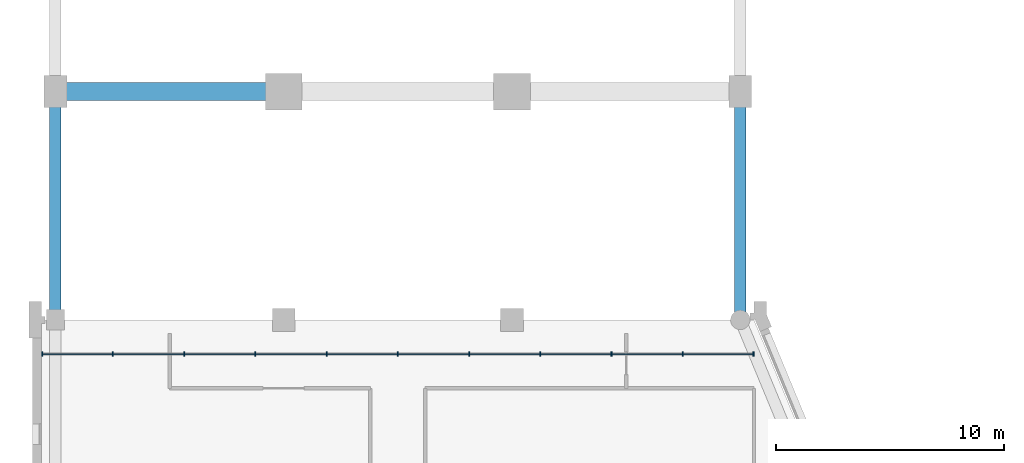
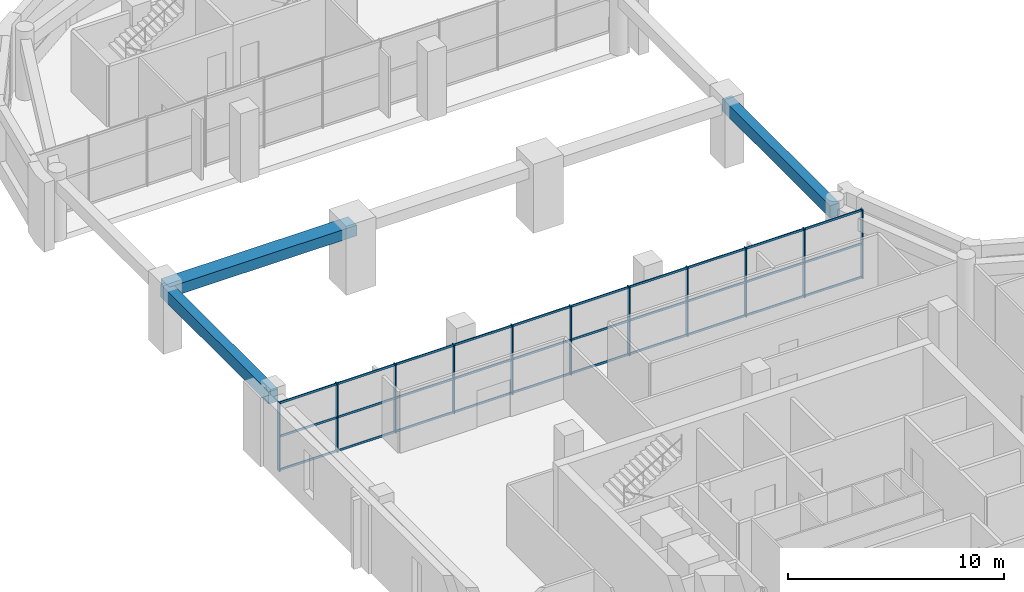
# One storey, part 2 of 11: 41 members, 3 beams, 1 element without a shape of its own.
"""IFC4 building model written with IfcOpenShell, lengths in metres."""

from ifc_helpers import new_model, si_unit, direction, frame, origin, origin_2d, place, context, subcontext, project, spatial, rectangle, extrude, material, layer, layer_set, material_profile, profile_set, type_object, element, aggregate, save


model = new_model("IFC4")

# Units and contexts
model_context = context("Model", 3, precision=1e-05, world=origin(), true_north=direction((0.0, 1.0)))
body_context = subcontext(model_context, "Body", "Model", "MODEL_VIEW")
ifc_project = project(units=[si_unit("LENGTHUNIT", "METRE"), si_unit("AREAUNIT", "SQUARE_METRE"), si_unit("VOLUMEUNIT", "CUBIC_METRE"), si_unit("PLANEANGLEUNIT", "RADIAN"), si_unit("MASSUNIT", "GRAM", prefix="KILO")], contexts=[model_context])

# Site, building, storey
site_placement = place(None, origin())
site = spatial("IfcSite", under=ifc_project, at=site_placement, CompositionType="ELEMENT")
building_placement = place(site_placement, origin())
building = spatial("IfcBuilding", under=site, at=building_placement, Name="Qaws Garden Tower", CompositionType="ELEMENT")
storey_placement = place(building_placement, frame((0.0, 0.0, 329.39990234375)))
storey = spatial("IfcBuildingStorey", under=building, at=storey_placement, Name="L80", CompositionType="ELEMENT", Elevation=329.39990234375)

# Curtain wall, members
ifc_material_1 = material(Name="Anodised aluminium curtain wall frame", Category="aluminium")
ifc_layer = layer(ifc_material_1, 0.159912109375)
ifc_layer_set = layer_set([ifc_layer], Name="Anodised aluminium curtain wall frame")
curtain_wall_type = type_object("IfcCurtainWallType", Name="CW5 portal screen curtain wall", PredefinedType="NOTDEFINED", material=ifc_layer_set)
curtain_wall_placement = place(storey_placement, origin())
curtain_wall = element("IfcCurtainWall", 1, at=curtain_wall_placement, inside=storey, type_object=curtain_wall_type, Name="CW5 Portal screen 0", PredefinedType="NOTDEFINED")
ifc_material_2 = material(Name="Anodised aluminium curtain wall frame", Category="aluminium")
ifc_material_profile_1 = material_profile(ifc_material_2, rectangle(XDim=0.199951171875, YDim=0.050048828125, at=origin_2d()), Name="AL 50x200")
ifc_profile_set_1 = profile_set([ifc_material_profile_1], Name="Anodised aluminium curtain wall frame")
member_type_1 = type_object("IfcMemberType", Name="CW5 mullion 50 x 200", PredefinedType="MULLION", material=ifc_profile_set_1)
member_1_placement = place(storey_placement, frame((-0.574951171875, 38.5, 0.0), z_axis=(0.0, 0.0, 1.0), x_axis=(0.0, 1.0, 0.0)))
member_1 = element("IfcMember", 2, at=member_1_placement, type_object=member_type_1, Name="CW5 mullion 1", PredefinedType="MULLION", context=body_context, shape_type="SweptSolid", body=[
    extrude(rectangle(XDim=0.199951171875, YDim=0.050048828125, at=origin_2d()), origin(), (0.0, 0.0, 1.0), 3.900146484375),
])
member_2_placement = place(storey_placement, frame((2.52001953125, 38.5, 0.0), z_axis=(0.0, 0.0, 1.0), x_axis=(0.0, 1.0, 0.0)))
member_2 = element("IfcMember", 3, at=member_2_placement, type_object=member_type_1, Name="CW5 mullion 2", PredefinedType="MULLION", context=body_context, shape_type="SweptSolid", body=[
    extrude(rectangle(XDim=0.199951171875, YDim=0.050048828125, at=origin_2d()), origin(), (0.0, 0.0, 1.0), 3.900146484375),
])
member_3_placement = place(storey_placement, frame((5.639892578125, 38.5, 0.0), z_axis=(0.0, 0.0, 1.0), x_axis=(0.0, 1.0, 0.0)))
member_3 = element("IfcMember", 4, at=member_3_placement, type_object=member_type_1, Name="CW5 mullion 3", PredefinedType="MULLION", context=body_context, shape_type="SweptSolid", body=[
    extrude(rectangle(XDim=0.199951171875, YDim=0.050048828125, at=origin_2d()), origin(), (0.0, 0.0, 1.0), 3.900146484375),
])
member_4_placement = place(storey_placement, frame((8.760009765625, 38.5, 0.0), z_axis=(0.0, 0.0, 1.0), x_axis=(0.0, 1.0, 0.0)))
member_4 = element("IfcMember", 5, at=member_4_placement, type_object=member_type_1, Name="CW5 mullion 4", PredefinedType="MULLION", context=body_context, shape_type="SweptSolid", body=[
    extrude(rectangle(XDim=0.199951171875, YDim=0.050048828125, at=origin_2d()), origin(), (0.0, 0.0, 1.0), 3.900146484375),
])
member_5_placement = place(storey_placement, frame((11.8798828125, 38.5, 0.0), z_axis=(0.0, 0.0, 1.0), x_axis=(0.0, 1.0, 0.0)))
member_5 = element("IfcMember", 6, at=member_5_placement, type_object=member_type_1, Name="CW5 mullion 5", PredefinedType="MULLION", context=body_context, shape_type="SweptSolid", body=[
    extrude(rectangle(XDim=0.199951171875, YDim=0.050048828125, at=origin_2d()), origin(), (0.0, 0.0, 1.0), 3.900146484375),
])
member_6_placement = place(storey_placement, frame((15.0, 38.5, 0.0), z_axis=(0.0, 0.0, 1.0), x_axis=(0.0, 1.0, 0.0)))
member_6 = element("IfcMember", 7, at=member_6_placement, type_object=member_type_1, Name="CW5 mullion 6", PredefinedType="MULLION", context=body_context, shape_type="SweptSolid", body=[
    extrude(rectangle(XDim=0.199951171875, YDim=0.050048828125, at=origin_2d()), origin(), (0.0, 0.0, 1.0), 3.900146484375),
])
member_7_placement = place(storey_placement, frame((18.1201171875, 38.5, 0.0), z_axis=(0.0, 0.0, 1.0), x_axis=(0.0, 1.0, 0.0)))
member_7 = element("IfcMember", 8, at=member_7_placement, type_object=member_type_1, Name="CW5 mullion 7", PredefinedType="MULLION", context=body_context, shape_type="SweptSolid", body=[
    extrude(rectangle(XDim=0.199951171875, YDim=0.050048828125, at=origin_2d()), origin(), (0.0, 0.0, 1.0), 3.900146484375),
])
member_8_placement = place(storey_placement, frame((21.239990234375, 38.5, 0.0), z_axis=(0.0, 0.0, 1.0), x_axis=(0.0, 1.0, 0.0)))
member_8 = element("IfcMember", 9, at=member_8_placement, type_object=member_type_1, Name="CW5 mullion 8", PredefinedType="MULLION", context=body_context, shape_type="SweptSolid", body=[
    extrude(rectangle(XDim=0.199951171875, YDim=0.050048828125, at=origin_2d()), origin(), (0.0, 0.0, 1.0), 3.900146484375),
])
member_9_placement = place(storey_placement, frame((24.360107421875, 38.5, 0.0), z_axis=(0.0, 0.0, 1.0), x_axis=(0.0, 1.0, 0.0)))
member_9 = element("IfcMember", 10, at=member_9_placement, type_object=member_type_1, Name="CW5 mullion 9", PredefinedType="MULLION", context=body_context, shape_type="SweptSolid", body=[
    extrude(rectangle(XDim=0.199951171875, YDim=0.050048828125, at=origin_2d()), origin(), (0.0, 0.0, 1.0), 3.900146484375),
])
member_10_placement = place(storey_placement, frame((27.47998046875, 38.5, 0.0), z_axis=(0.0, 0.0, 1.0), x_axis=(0.0, 1.0, 0.0)))
member_10 = element("IfcMember", 11, at=member_10_placement, type_object=member_type_1, Name="CW5 mullion 10", PredefinedType="MULLION", context=body_context, shape_type="SweptSolid", body=[
    extrude(rectangle(XDim=0.199951171875, YDim=0.050048828125, at=origin_2d()), origin(), (0.0, 0.0, 1.0), 3.900146484375),
])
member_11_placement = place(storey_placement, frame((30.574951171875, 38.5, 0.0), z_axis=(0.0, 0.0, 1.0), x_axis=(0.0, 1.0, 0.0)))
member_11 = element("IfcMember", 12, at=member_11_placement, type_object=member_type_1, Name="CW5 mullion 11", PredefinedType="MULLION", context=body_context, shape_type="SweptSolid", body=[
    extrude(rectangle(XDim=0.199951171875, YDim=0.050048828125, at=origin_2d()), origin(), (0.0, 0.0, 1.0), 3.900146484375),
])
ifc_material_3 = material(Name="Anodised aluminium curtain wall frame", Category="aluminium")
ifc_material_profile_2 = material_profile(ifc_material_3, rectangle(XDim=0.050048828125, YDim=0.1201171875, at=origin_2d()), Name="AL 50x120")
ifc_profile_set_2 = profile_set([ifc_material_profile_2], Name="Anodised aluminium curtain wall frame")
member_type_2 = type_object("IfcMemberType", Name="CW5 transom 120 x 50", PredefinedType="USERDEFINED", material=ifc_profile_set_2)
member_12_placement = place(storey_placement, frame((-0.550048828125, 38.5, 0.06005859375), z_axis=(1.0, 0.0, 0.0), x_axis=(0.0, 1.0, 0.0)))
member_12 = element("IfcMember", 13, at=member_12_placement, type_object=member_type_2, Name="CW5 transom 1.1", ObjectType="TRANSOM", PredefinedType="USERDEFINED", context=body_context, shape_type="SweptSolid", body=[
    extrude(rectangle(XDim=0.050048828125, YDim=0.1201171875, at=origin_2d()), origin(), (0.0, 0.0, 1.0), 3.045166015625),
])
member_13_placement = place(storey_placement, frame((-0.550048828125, 38.5, 1.9501953125), z_axis=(1.0, 0.0, 0.0), x_axis=(0.0, 1.0, 0.0)))
member_13 = element("IfcMember", 14, at=member_13_placement, type_object=member_type_2, Name="CW5 transom 1.2", ObjectType="TRANSOM", PredefinedType="USERDEFINED", context=body_context, shape_type="SweptSolid", body=[
    extrude(rectangle(XDim=0.050048828125, YDim=0.1201171875, at=origin_2d()), origin(), (0.0, 0.0, 1.0), 3.045166015625),
])
member_14_placement = place(storey_placement, frame((-0.550048828125, 38.5, 3.840087890625), z_axis=(1.0, 0.0, 0.0), x_axis=(0.0, 1.0, 0.0)))
member_14 = element("IfcMember", 15, at=member_14_placement, type_object=member_type_2, Name="CW5 transom 1.3", ObjectType="TRANSOM", PredefinedType="USERDEFINED", context=body_context, shape_type="SweptSolid", body=[
    extrude(rectangle(XDim=0.050048828125, YDim=0.1201171875, at=origin_2d()), origin(), (0.0, 0.0, 1.0), 3.045166015625),
])
member_15_placement = place(storey_placement, frame((2.544921875, 38.5, 0.06005859375), z_axis=(1.0, 0.0, 0.0), x_axis=(0.0, 1.0, 0.0)))
member_15 = element("IfcMember", 16, at=member_15_placement, type_object=member_type_2, Name="CW5 transom 2.1", ObjectType="TRANSOM", PredefinedType="USERDEFINED", context=body_context, shape_type="SweptSolid", body=[
    extrude(rectangle(XDim=0.050048828125, YDim=0.1201171875, at=origin_2d()), origin(), (0.0, 0.0, 1.0), 3.070068359375),
])
member_16_placement = place(storey_placement, frame((2.544921875, 38.5, 1.9501953125), z_axis=(1.0, 0.0, 0.0), x_axis=(0.0, 1.0, 0.0)))
member_16 = element("IfcMember", 17, at=member_16_placement, type_object=member_type_2, Name="CW5 transom 2.2", ObjectType="TRANSOM", PredefinedType="USERDEFINED", context=body_context, shape_type="SweptSolid", body=[
    extrude(rectangle(XDim=0.050048828125, YDim=0.1201171875, at=origin_2d()), origin(), (0.0, 0.0, 1.0), 3.070068359375),
])
member_17_placement = place(storey_placement, frame((2.544921875, 38.5, 3.840087890625), z_axis=(1.0, 0.0, 0.0), x_axis=(0.0, 1.0, 0.0)))
member_17 = element("IfcMember", 18, at=member_17_placement, type_object=member_type_2, Name="CW5 transom 2.3", ObjectType="TRANSOM", PredefinedType="USERDEFINED", context=body_context, shape_type="SweptSolid", body=[
    extrude(rectangle(XDim=0.050048828125, YDim=0.1201171875, at=origin_2d()), origin(), (0.0, 0.0, 1.0), 3.070068359375),
])
member_18_placement = place(storey_placement, frame((5.6650390625, 38.5, 0.06005859375), z_axis=(1.0, 0.0, 0.0), x_axis=(0.0, 1.0, 0.0)))
member_18 = element("IfcMember", 19, at=member_18_placement, type_object=member_type_2, Name="CW5 transom 3.1", ObjectType="TRANSOM", PredefinedType="USERDEFINED", context=body_context, shape_type="SweptSolid", body=[
    extrude(rectangle(XDim=0.050048828125, YDim=0.1201171875, at=origin_2d()), origin(), (0.0, 0.0, 1.0), 3.070068359375),
])
member_19_placement = place(storey_placement, frame((5.6650390625, 38.5, 1.9501953125), z_axis=(1.0, 0.0, 0.0), x_axis=(0.0, 1.0, 0.0)))
member_19 = element("IfcMember", 20, at=member_19_placement, type_object=member_type_2, Name="CW5 transom 3.2", ObjectType="TRANSOM", PredefinedType="USERDEFINED", context=body_context, shape_type="SweptSolid", body=[
    extrude(rectangle(XDim=0.050048828125, YDim=0.1201171875, at=origin_2d()), origin(), (0.0, 0.0, 1.0), 3.070068359375),
])
member_20_placement = place(storey_placement, frame((5.6650390625, 38.5, 3.840087890625), z_axis=(1.0, 0.0, 0.0), x_axis=(0.0, 1.0, 0.0)))
member_20 = element("IfcMember", 21, at=member_20_placement, type_object=member_type_2, Name="CW5 transom 3.3", ObjectType="TRANSOM", PredefinedType="USERDEFINED", context=body_context, shape_type="SweptSolid", body=[
    extrude(rectangle(XDim=0.050048828125, YDim=0.1201171875, at=origin_2d()), origin(), (0.0, 0.0, 1.0), 3.070068359375),
])
member_21_placement = place(storey_placement, frame((8.784912109375, 38.5, 0.06005859375), z_axis=(1.0, 0.0, 0.0), x_axis=(0.0, 1.0, 0.0)))
member_21 = element("IfcMember", 22, at=member_21_placement, type_object=member_type_2, Name="CW5 transom 4.1", ObjectType="TRANSOM", PredefinedType="USERDEFINED", context=body_context, shape_type="SweptSolid", body=[
    extrude(rectangle(XDim=0.050048828125, YDim=0.1201171875, at=origin_2d()), origin(), (0.0, 0.0, 1.0), 3.070068359375),
])
member_22_placement = place(storey_placement, frame((8.784912109375, 38.5, 1.9501953125), z_axis=(1.0, 0.0, 0.0), x_axis=(0.0, 1.0, 0.0)))
member_22 = element("IfcMember", 23, at=member_22_placement, type_object=member_type_2, Name="CW5 transom 4.2", ObjectType="TRANSOM", PredefinedType="USERDEFINED", context=body_context, shape_type="SweptSolid", body=[
    extrude(rectangle(XDim=0.050048828125, YDim=0.1201171875, at=origin_2d()), origin(), (0.0, 0.0, 1.0), 3.070068359375),
])
member_23_placement = place(storey_placement, frame((8.784912109375, 38.5, 3.840087890625), z_axis=(1.0, 0.0, 0.0), x_axis=(0.0, 1.0, 0.0)))
member_23 = element("IfcMember", 24, at=member_23_placement, type_object=member_type_2, Name="CW5 transom 4.3", ObjectType="TRANSOM", PredefinedType="USERDEFINED", context=body_context, shape_type="SweptSolid", body=[
    extrude(rectangle(XDim=0.050048828125, YDim=0.1201171875, at=origin_2d()), origin(), (0.0, 0.0, 1.0), 3.070068359375),
])
member_24_placement = place(storey_placement, frame((11.905029296875, 38.5, 0.06005859375), z_axis=(1.0, 0.0, 0.0), x_axis=(0.0, 1.0, 0.0)))
member_24 = element("IfcMember", 25, at=member_24_placement, type_object=member_type_2, Name="CW5 transom 5.1", ObjectType="TRANSOM", PredefinedType="USERDEFINED", context=body_context, shape_type="SweptSolid", body=[
    extrude(rectangle(XDim=0.050048828125, YDim=0.1201171875, at=origin_2d()), origin(), (0.0, 0.0, 1.0), 3.070068359375),
])
member_25_placement = place(storey_placement, frame((11.905029296875, 38.5, 1.9501953125), z_axis=(1.0, 0.0, 0.0), x_axis=(0.0, 1.0, 0.0)))
member_25 = element("IfcMember", 26, at=member_25_placement, type_object=member_type_2, Name="CW5 transom 5.2", ObjectType="TRANSOM", PredefinedType="USERDEFINED", context=body_context, shape_type="SweptSolid", body=[
    extrude(rectangle(XDim=0.050048828125, YDim=0.1201171875, at=origin_2d()), origin(), (0.0, 0.0, 1.0), 3.070068359375),
])
member_26_placement = place(storey_placement, frame((11.905029296875, 38.5, 3.840087890625), z_axis=(1.0, 0.0, 0.0), x_axis=(0.0, 1.0, 0.0)))
member_26 = element("IfcMember", 27, at=member_26_placement, type_object=member_type_2, Name="CW5 transom 5.3", ObjectType="TRANSOM", PredefinedType="USERDEFINED", context=body_context, shape_type="SweptSolid", body=[
    extrude(rectangle(XDim=0.050048828125, YDim=0.1201171875, at=origin_2d()), origin(), (0.0, 0.0, 1.0), 3.070068359375),
])
member_27_placement = place(storey_placement, frame((15.02490234375, 38.5, 0.06005859375), z_axis=(1.0, 0.0, 0.0), x_axis=(0.0, 1.0, 0.0)))
member_27 = element("IfcMember", 28, at=member_27_placement, type_object=member_type_2, Name="CW5 transom 6.1", ObjectType="TRANSOM", PredefinedType="USERDEFINED", context=body_context, shape_type="SweptSolid", body=[
    extrude(rectangle(XDim=0.050048828125, YDim=0.1201171875, at=origin_2d()), origin(), (0.0, 0.0, 1.0), 3.070068359375),
])
member_28_placement = place(storey_placement, frame((15.02490234375, 38.5, 1.9501953125), z_axis=(1.0, 0.0, 0.0), x_axis=(0.0, 1.0, 0.0)))
member_28 = element("IfcMember", 29, at=member_28_placement, type_object=member_type_2, Name="CW5 transom 6.2", ObjectType="TRANSOM", PredefinedType="USERDEFINED", context=body_context, shape_type="SweptSolid", body=[
    extrude(rectangle(XDim=0.050048828125, YDim=0.1201171875, at=origin_2d()), origin(), (0.0, 0.0, 1.0), 3.070068359375),
])
member_29_placement = place(storey_placement, frame((15.02490234375, 38.5, 3.840087890625), z_axis=(1.0, 0.0, 0.0), x_axis=(0.0, 1.0, 0.0)))
member_29 = element("IfcMember", 30, at=member_29_placement, type_object=member_type_2, Name="CW5 transom 6.3", ObjectType="TRANSOM", PredefinedType="USERDEFINED", context=body_context, shape_type="SweptSolid", body=[
    extrude(rectangle(XDim=0.050048828125, YDim=0.1201171875, at=origin_2d()), origin(), (0.0, 0.0, 1.0), 3.070068359375),
])
member_30_placement = place(storey_placement, frame((18.14501953125, 38.5, 0.06005859375), z_axis=(1.0, 0.0, 0.0), x_axis=(0.0, 1.0, 0.0)))
member_30 = element("IfcMember", 31, at=member_30_placement, type_object=member_type_2, Name="CW5 transom 7.1", ObjectType="TRANSOM", PredefinedType="USERDEFINED", context=body_context, shape_type="SweptSolid", body=[
    extrude(rectangle(XDim=0.050048828125, YDim=0.1201171875, at=origin_2d()), origin(), (0.0, 0.0, 1.0), 3.070068359375),
])
member_31_placement = place(storey_placement, frame((18.14501953125, 38.5, 1.9501953125), z_axis=(1.0, 0.0, 0.0), x_axis=(0.0, 1.0, 0.0)))
member_31 = element("IfcMember", 32, at=member_31_placement, type_object=member_type_2, Name="CW5 transom 7.2", ObjectType="TRANSOM", PredefinedType="USERDEFINED", context=body_context, shape_type="SweptSolid", body=[
    extrude(rectangle(XDim=0.050048828125, YDim=0.1201171875, at=origin_2d()), origin(), (0.0, 0.0, 1.0), 3.070068359375),
])
member_32_placement = place(storey_placement, frame((18.14501953125, 38.5, 3.840087890625), z_axis=(1.0, 0.0, 0.0), x_axis=(0.0, 1.0, 0.0)))
member_32 = element("IfcMember", 33, at=member_32_placement, type_object=member_type_2, Name="CW5 transom 7.3", ObjectType="TRANSOM", PredefinedType="USERDEFINED", context=body_context, shape_type="SweptSolid", body=[
    extrude(rectangle(XDim=0.050048828125, YDim=0.1201171875, at=origin_2d()), origin(), (0.0, 0.0, 1.0), 3.070068359375),
])
member_33_placement = place(storey_placement, frame((21.264892578125, 38.5, 0.06005859375), z_axis=(1.0, 0.0, 0.0), x_axis=(0.0, 1.0, 0.0)))
member_33 = element("IfcMember", 34, at=member_33_placement, type_object=member_type_2, Name="CW5 transom 8.1", ObjectType="TRANSOM", PredefinedType="USERDEFINED", context=body_context, shape_type="SweptSolid", body=[
    extrude(rectangle(XDim=0.050048828125, YDim=0.1201171875, at=origin_2d()), origin(), (0.0, 0.0, 1.0), 3.070068359375),
])
member_34_placement = place(storey_placement, frame((21.264892578125, 38.5, 1.9501953125), z_axis=(1.0, 0.0, 0.0), x_axis=(0.0, 1.0, 0.0)))
member_34 = element("IfcMember", 35, at=member_34_placement, type_object=member_type_2, Name="CW5 transom 8.2", ObjectType="TRANSOM", PredefinedType="USERDEFINED", context=body_context, shape_type="SweptSolid", body=[
    extrude(rectangle(XDim=0.050048828125, YDim=0.1201171875, at=origin_2d()), origin(), (0.0, 0.0, 1.0), 3.070068359375),
])
member_35_placement = place(storey_placement, frame((21.264892578125, 38.5, 3.840087890625), z_axis=(1.0, 0.0, 0.0), x_axis=(0.0, 1.0, 0.0)))
member_35 = element("IfcMember", 36, at=member_35_placement, type_object=member_type_2, Name="CW5 transom 8.3", ObjectType="TRANSOM", PredefinedType="USERDEFINED", context=body_context, shape_type="SweptSolid", body=[
    extrude(rectangle(XDim=0.050048828125, YDim=0.1201171875, at=origin_2d()), origin(), (0.0, 0.0, 1.0), 3.070068359375),
])
member_36_placement = place(storey_placement, frame((24.385009765625, 38.5, 0.06005859375), z_axis=(1.0, 0.0, 0.0), x_axis=(0.0, 1.0, 0.0)))
member_36 = element("IfcMember", 37, at=member_36_placement, type_object=member_type_2, Name="CW5 transom 9.1", ObjectType="TRANSOM", PredefinedType="USERDEFINED", context=body_context, shape_type="SweptSolid", body=[
    extrude(rectangle(XDim=0.050048828125, YDim=0.1201171875, at=origin_2d()), origin(), (0.0, 0.0, 1.0), 3.070068359375),
])
member_37_placement = place(storey_placement, frame((24.385009765625, 38.5, 1.9501953125), z_axis=(1.0, 0.0, 0.0), x_axis=(0.0, 1.0, 0.0)))
member_37 = element("IfcMember", 38, at=member_37_placement, type_object=member_type_2, Name="CW5 transom 9.2", ObjectType="TRANSOM", PredefinedType="USERDEFINED", context=body_context, shape_type="SweptSolid", body=[
    extrude(rectangle(XDim=0.050048828125, YDim=0.1201171875, at=origin_2d()), origin(), (0.0, 0.0, 1.0), 3.070068359375),
])
member_38_placement = place(storey_placement, frame((24.385009765625, 38.5, 3.840087890625), z_axis=(1.0, 0.0, 0.0), x_axis=(0.0, 1.0, 0.0)))
member_38 = element("IfcMember", 39, at=member_38_placement, type_object=member_type_2, Name="CW5 transom 9.3", ObjectType="TRANSOM", PredefinedType="USERDEFINED", context=body_context, shape_type="SweptSolid", body=[
    extrude(rectangle(XDim=0.050048828125, YDim=0.1201171875, at=origin_2d()), origin(), (0.0, 0.0, 1.0), 3.070068359375),
])
member_39_placement = place(storey_placement, frame((27.5048828125, 38.5, 0.06005859375), z_axis=(1.0, 0.0, 0.0), x_axis=(0.0, 1.0, 0.0)))
member_39 = element("IfcMember", 40, at=member_39_placement, type_object=member_type_2, Name="CW5 transom 10.1", ObjectType="TRANSOM", PredefinedType="USERDEFINED", context=body_context, shape_type="SweptSolid", body=[
    extrude(rectangle(XDim=0.050048828125, YDim=0.1201171875, at=origin_2d()), origin(), (0.0, 0.0, 1.0), 3.045166015625),
])
member_40_placement = place(storey_placement, frame((27.5048828125, 38.5, 1.9501953125), z_axis=(1.0, 0.0, 0.0), x_axis=(0.0, 1.0, 0.0)))
member_40 = element("IfcMember", 41, at=member_40_placement, type_object=member_type_2, Name="CW5 transom 10.2", ObjectType="TRANSOM", PredefinedType="USERDEFINED", context=body_context, shape_type="SweptSolid", body=[
    extrude(rectangle(XDim=0.050048828125, YDim=0.1201171875, at=origin_2d()), origin(), (0.0, 0.0, 1.0), 3.045166015625),
])
member_41_placement = place(storey_placement, frame((27.5048828125, 38.5, 3.840087890625), z_axis=(1.0, 0.0, 0.0), x_axis=(0.0, 1.0, 0.0)))
member_41 = element("IfcMember", 42, at=member_41_placement, type_object=member_type_2, Name="CW5 transom 10.3", ObjectType="TRANSOM", PredefinedType="USERDEFINED", context=body_context, shape_type="SweptSolid", body=[
    extrude(rectangle(XDim=0.050048828125, YDim=0.1201171875, at=origin_2d()), origin(), (0.0, 0.0, 1.0), 3.045166015625),
])
aggregate(curtain_wall, [member_1, member_2, member_3, member_4, member_5, member_6, member_7, member_8, member_9, member_10, member_11, member_12, member_13, member_14, member_15, member_16, member_17, member_18, member_19, member_20, member_21, member_22, member_23, member_24, member_25, member_26, member_27, member_28, member_29, member_30, member_31, member_32, member_33, member_34, member_35, member_36, member_37, member_38, member_39, member_40, member_41])

# Beams
ifc_material_4 = material(Name="Concrete C45", Category="concrete")
ifc_material_profile_3 = material_profile(ifc_material_4, rectangle(XDim=0.800048828125, YDim=0.60009765625, at=origin_2d()), Name="RC 800x600")
ifc_profile_set_3 = profile_set([ifc_material_profile_3], Name="Concrete C45")
beam_type_1 = type_object("IfcBeamType", Name="Portal edge beam RC 800x600 C45", PredefinedType="BEAM", material=ifc_profile_set_3)
beam_placement = place(storey_placement, frame((0.0, 50.0, 3.150146484375), z_axis=(1.0, 0.0, 0.0), x_axis=(0.0, 1.0, 0.0)))
element("IfcBeam", 43, at=beam_placement, inside=storey, type_object=beam_type_1, Name="Portal tie beam L80-1", PredefinedType="BEAM", context=body_context, shape_type="SweptSolid", body=[
    extrude(rectangle(XDim=0.800048828125, YDim=0.60009765625, at=origin_2d()), origin(), (0.0, 0.0, 1.0), 10.0),
])
ifc_material_5 = material(Name="Concrete C45", Category="concrete")
ifc_material_profile_4 = material_profile(ifc_material_5, rectangle(XDim=0.5, YDim=0.699951171875, at=origin_2d()), Name="RC 500x700")
ifc_profile_set_4 = profile_set([ifc_material_profile_4], Name="Concrete C45")
beam_type_2 = type_object("IfcBeamType", Name="Spandrel beam RC 500x700 C45", PredefinedType="SPANDREL", material=ifc_profile_set_4)
for number, where, z_axis, x_axis, name in (
    (44, (30.0, 40.0, 3.10009765625), (0.0, 1.0, 0.0), (-1.0, 0.0, 0.0), "Spandrel beam L80-008"),
    (45, (0.0, 50.0, 3.10009765625), (0.0, -1.0, 0.0), (1.0, 0.0, 0.0), "Spandrel beam L80-015"),
):
    element("IfcBeam", number, at=place(storey_placement, frame(where, z_axis=z_axis, x_axis=x_axis)), inside=storey, type_object=beam_type_2, Name=name, PredefinedType="SPANDREL", context=body_context, shape_type="SweptSolid", body=[
        extrude(rectangle(XDim=0.5, YDim=0.699951171875, at=origin_2d()), origin(), (0.0, 0.0, 1.0), 10.0),
    ])

save(model, "model.ifc")
